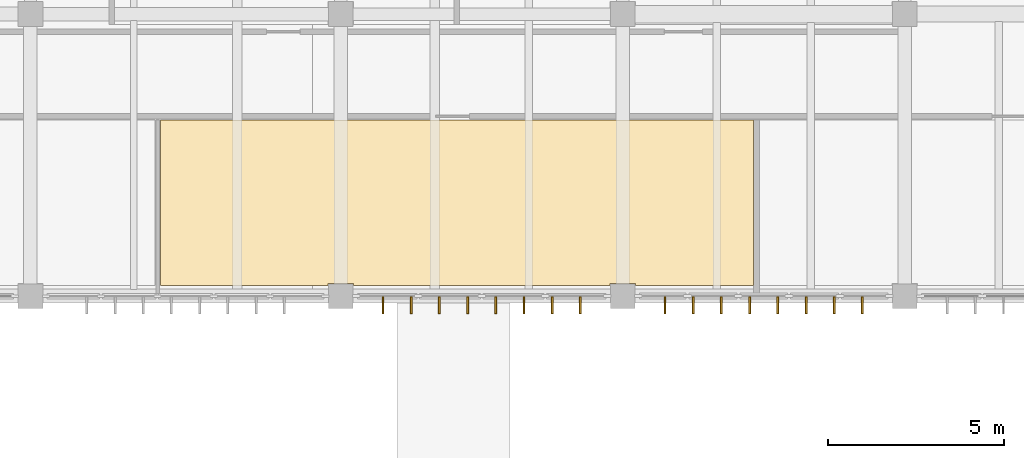
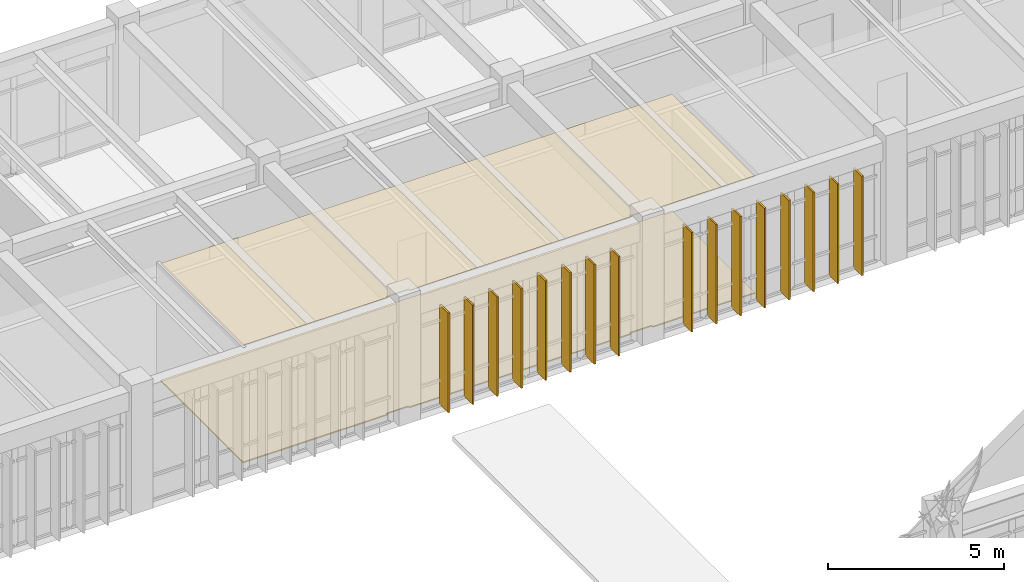
# One storey, part 62 of 72: 16 shading devices, 2 coverings.
"""IFC4 building model written with IfcOpenShell, lengths in metres."""

from ifc_helpers import new_model, si_unit, direction, frame, origin, origin_2d, place, context, subcontext, project, spatial, polyline, rectangle, outline, extrude, material, layer, layer_set, type_object, element, save


model = new_model("IFC4")

# Units and contexts
model_context = context("Model", 3, precision=1e-05, world=origin(), true_north=direction((0.0, 1.0)))
body_context = subcontext(model_context, "Body", "Model", "MODEL_VIEW")
ifc_project = project(units=[si_unit("LENGTHUNIT", "METRE"), si_unit("AREAUNIT", "SQUARE_METRE"), si_unit("VOLUMEUNIT", "CUBIC_METRE"), si_unit("PLANEANGLEUNIT", "RADIAN"), si_unit("MASSUNIT", "GRAM", prefix="KILO")], contexts=[model_context])

# Site, building, storey
site_placement = place(None, origin())
site = spatial("IfcSite", under=ifc_project, at=site_placement, CompositionType="ELEMENT")
building_placement = place(site_placement, origin())
building = spatial("IfcBuilding", under=site, at=building_placement, Name="Tlaxcora Railside Police Headquarters", CompositionType="ELEMENT")
storey_placement = place(building_placement, frame((0.0, 0.0, 13.5)))
storey = spatial("IfcBuildingStorey", under=building, at=storey_placement, Name="L03", CompositionType="ELEMENT", Elevation=13.5)

# Covering
ifc_material_1 = material(Name="Mineral-fibre acoustic ceiling tile")
ifc_layer_1 = layer(ifc_material_1, 0.034912109375, Name="Mineral-fibre acoustic ceiling tile")
ifc_layer_set_1 = layer_set([ifc_layer_1], Name="Mineral-fibre acoustic ceiling tile")
covering_type_1 = type_object("IfcCoveringType", Name="Acoustic Suspended Ceiling CLG-01", PredefinedType="CEILING", material=ifc_layer_set_1)
covering_1_placement = place(storey_placement, frame((0.0, 0.0, 4.06494140625)))
element("IfcCovering", 1, at=covering_1_placement, inside=storey, type_object=covering_type_1, Name="Open-Source Intelligence Analytics Suite suspended ceiling", PredefinedType="CEILING", context=body_context, shape_type="SweptSolid", body=[
    extrude(outline(polyline([(65.716064453125, 81.800048828125), (48.89111328125, 81.800048828125), (48.89111328125, 77.10009765625), (53.639892578125, 77.10009765625), (53.639892578125, 77.159912109375), (54.360107421875, 77.159912109375), (54.360107421875, 77.10009765625), (61.639892578125, 77.10009765625), (61.639892578125, 77.159912109375), (62.360107421875, 77.159912109375), (62.360107421875, 77.10009765625), (65.716064453125, 77.10009765625), (65.716064453125, 81.800048828125)])), origin(), (0.0, 0.0, 1.0), 0.03515625),
])

# Shading devices
ifc_material_2 = material(Name="Anodised aluminium framing", Category="aluminium")
ifc_layer_2 = layer(ifc_material_2, 0.054931640625, Name="Anodised aluminium framing")
ifc_layer_set_2 = layer_set([ifc_layer_2], Name="Anodised aluminium framing")
shading_device_type = type_object("IfcShadingDeviceType", Name="Solar Control Fin SF-01", PredefinedType="JALOUSIE", material=ifc_layer_set_2)
for number, where, z_axis, x_axis, name in (
    (2, (55.199951171875, 76.5400390625, 0.0400390625), (0.0, 0.0, 1.0), (0.0, -1.0, 0.0), "Vertical solar fin 307"),
    (3, (56.0, 76.5400390625, 0.0400390625), (0.0, 0.0, 1.0), (0.0, -1.0, 0.0), "Vertical solar fin 308"),
    (4, (56.800048828125, 76.5400390625, 0.0400390625), (0.0, 0.0, 1.0), (0.0, -1.0, 0.0), "Vertical solar fin 309"),
    (5, (57.60009765625, 76.5400390625, 0.0400390625), (0.0, 0.0, 1.0), (0.0, -1.0, 0.0), "Vertical solar fin 310"),
    (6, (58.39990234375, 76.5400390625, 0.0400390625), (0.0, 0.0, 1.0), (0.0, -1.0, 0.0), "Vertical solar fin 311"),
    (7, (59.199951171875, 76.5400390625, 0.0400390625), (0.0, 0.0, 1.0), (0.0, -1.0, 0.0), "Vertical solar fin 312"),
    (8, (60.0, 76.5400390625, 0.0400390625), (0.0, 0.0, 1.0), (0.0, -1.0, 0.0), "Vertical solar fin 313"),
    (9, (60.800048828125, 76.5400390625, 0.0400390625), (0.0, 0.0, 1.0), (0.0, -1.0, 0.0), "Vertical solar fin 314"),
    (10, (63.199951171875, 76.5400390625, 0.0400390625), (0.0, 0.0, 1.0), (0.0, -1.0, 0.0), "Vertical solar fin 315"),
    (11, (64.0, 76.5400390625, 0.0400390625), (0.0, 0.0, 1.0), (0.0, -1.0, 0.0), "Vertical solar fin 316"),
    (12, (64.800048828125, 76.5400390625, 0.0400390625), (0.0, 0.0, 1.0), (0.0, -1.0, 0.0), "Vertical solar fin 317"),
    (13, (65.60009765625, 76.5400390625, 0.0400390625), (0.0, 0.0, 1.0), (0.0, -1.0, 0.0), "Vertical solar fin 318"),
    (14, (66.39990234375, 76.5400390625, 0.0400390625), (0.0, 0.0, 1.0), (0.0, -1.0, 0.0), "Vertical solar fin 319"),
    (15, (67.199951171875, 76.5400390625, 0.0400390625), (0.0, 0.0, 1.0), (0.0, -1.0, 0.0), "Vertical solar fin 320"),
    (16, (68.0, 76.5400390625, 0.0400390625), (0.0, 0.0, 1.0), (0.0, -1.0, 0.0), "Vertical solar fin 321"),
    (17, (68.800048828125, 76.5400390625, 0.0400390625), (0.0, 0.0, 1.0), (0.0, -1.0, 0.0), "Vertical solar fin 322"),
):
    element("IfcShadingDevice", number, at=place(storey_placement, frame(where, z_axis=z_axis, x_axis=x_axis)), inside=storey, type_object=shading_device_type, Name=name, PredefinedType="JALOUSIE", context=body_context, shape_type="SweptSolid", body=[
        extrude(rectangle(XDim=0.47998046875, YDim=0.054931640625, at=origin_2d()), origin(), (0.0, 0.0, 1.0), 3.4599609375),
    ])

# Covering
ifc_material_3 = material(Name="Heavy-duty resin and raised-access technical flooring")
ifc_layer_3 = layer(ifc_material_3, 0.0400390625, Name="Heavy-duty resin and raised-access technical flooring")
ifc_layer_set_3 = layer_set([ifc_layer_3], Name="Heavy-duty resin and raised-access technical flooring")
covering_type_2 = type_object("IfcCoveringType", Name="Technical Raised Access Flooring FLR-01", PredefinedType="FLOORING", material=ifc_layer_set_3)
covering_2_placement = place(storey_placement, origin())
element("IfcCovering", 18, at=covering_2_placement, inside=storey, type_object=covering_type_2, Name="Open-Source Intelligence Analytics Suite technical floor finish", PredefinedType="FLOORING", context=body_context, shape_type="SweptSolid", body=[
    extrude(outline(polyline([(65.716064453125, 81.800048828125), (48.89111328125, 81.800048828125), (48.89111328125, 77.10009765625), (53.639892578125, 77.10009765625), (53.639892578125, 77.159912109375), (54.360107421875, 77.159912109375), (54.360107421875, 77.10009765625), (61.639892578125, 77.10009765625), (61.639892578125, 77.159912109375), (62.360107421875, 77.159912109375), (62.360107421875, 77.10009765625), (65.716064453125, 77.10009765625), (65.716064453125, 81.800048828125)])), origin(), (0.0, 0.0, 1.0), 0.0400390625),
])

save(model, "model.ifc")
